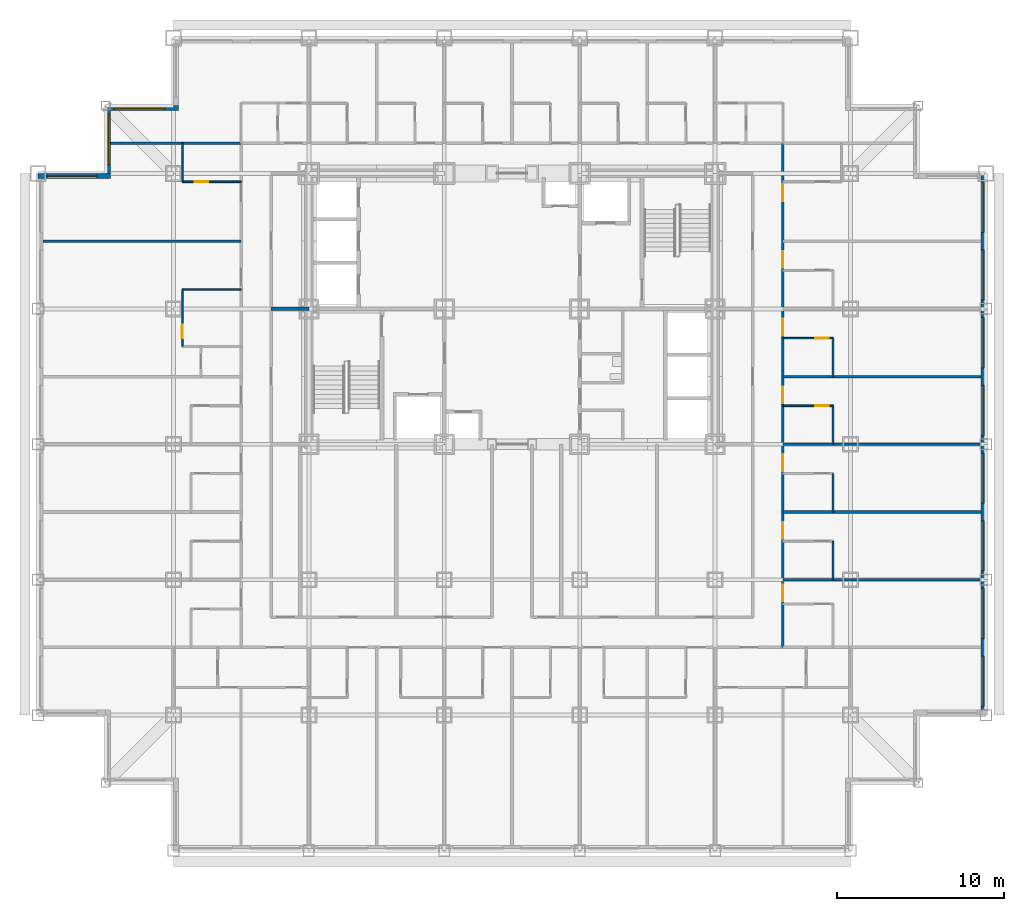
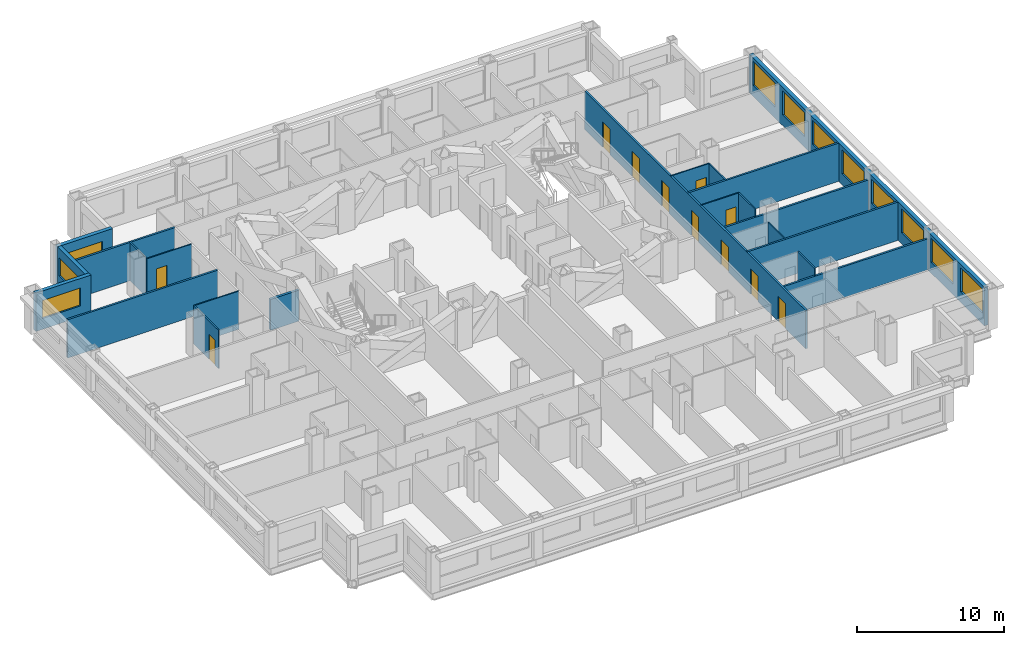
# One storey, part 7 of 12: 22 walls, 11 doors, 11 windows, 22 openings.
"""IFC4 building model written with IfcOpenShell, lengths in metres."""

import ifcopenshell
import ifcopenshell.guid

model = None  # the IFC model being written
_history = None  # IfcOwnerHistory: only IFC2X3 demands one
_inside = {}  # id of a spatial element -> (the spatial element, [elements in it])
_under = {}  # id of a project, library or spatial element -> (it, [spatial elements below it])
_declared = {}  # id of a project -> (the project, [libraries it declares])
_typed = {}  # id of a type object -> (the type object, [elements of that type])
_made_of = {}  # id of a material, layer set ... -> (it, [elements and type objects made of it])


def new_model(schema):
    """Start an empty IFC model of exactly this schema.

    Asked for "IFC4X3", IfcOpenShell would pick the latest addendum, in which some entities
    have other attributes; the version numbers below select the first issue.
    IFC2X3 requires an IfcOwnerHistory on every rooted entity: one is made here for all.
    """
    global model, _history
    if schema == "IFC4X3":
        model = ifcopenshell.file(schema_version=(4, 3, 0, 0))
    else:
        model = ifcopenshell.file(schema=schema)
    _inside.clear()
    _under.clear()
    _declared.clear()
    _typed.clear()
    _made_of.clear()
    _history = None
    if model.schema == "IFC2X3":
        org = make("IfcOrganization", Name="unknown")
        user = make(
            "IfcPersonAndOrganization",
            ThePerson=make("IfcPerson", FamilyName="unknown"),
            TheOrganization=org,
        )
        app = make(
            "IfcApplication",
            ApplicationDeveloper=org,
            Version="unknown",
            ApplicationFullName="unknown",
            ApplicationIdentifier="unknown",
        )
        _history = make(
            "IfcOwnerHistory",
            OwningUser=user,
            OwningApplication=app,
            ChangeAction="ADDED",
            CreationDate=0,
        )
    return model


def make(cls, **values):
    """One entity of the class cls with the attributes given. An attribute that is None is left unset."""
    return model.create_entity(
        cls, **{name: value for name, value in values.items() if value is not None}
    )


def rooted(cls, **values):
    """An entity with a GlobalId (a new one), such as an element, a storey or a relation."""
    return make(cls, GlobalId=ifcopenshell.guid.new(), OwnerHistory=_history, **values)


def si_unit(unit_type, name, prefix=None):
    """IfcSIUnit, for example si_unit("LENGTHUNIT", "METRE", prefix="MILLI")."""
    return make("IfcSIUnit", UnitType=unit_type, Prefix=prefix, Name=name)


def assignment(units):
    """IfcUnitAssignment: the units of a project."""
    return None if units is None else make("IfcUnitAssignment", Units=units)


def point(xyz):
    """IfcCartesianPoint."""
    return None if xyz is None else make("IfcCartesianPoint", Coordinates=xyz)


def direction(xyz):
    """IfcDirection."""
    return None if xyz is None else make("IfcDirection", DirectionRatios=xyz)


def frame(location, z_axis=None, x_axis=None):
    """IfcAxis2Placement3D, a coordinate frame: its origin and axes. An axis left out is left unset."""
    return make(
        "IfcAxis2Placement3D",
        Location=point(location),
        Axis=direction(z_axis),
        RefDirection=direction(x_axis),
    )


def frame_2d(location, x_axis=None):
    """IfcAxis2Placement2D, a coordinate frame in the plane: its origin and x axis."""
    return make(
        "IfcAxis2Placement2D", Location=point(location), RefDirection=direction(x_axis)
    )


def origin():
    """The frame at (0, 0, 0) with its axes left unset."""
    return frame((0.0, 0.0, 0.0))


def place(relative_to, where):
    """IfcLocalPlacement: puts the frame where relative to a parent placement (None: the world)."""
    return make(
        "IfcLocalPlacement", PlacementRelTo=relative_to, RelativePlacement=where
    )


def context(
    kind, dimensions, precision=None, world=None, true_north=None, identifier=None
):
    """IfcGeometricRepresentationContext, for example the 3D "Model" context."""
    return make(
        "IfcGeometricRepresentationContext",
        ContextIdentifier=identifier,
        ContextType=kind,
        CoordinateSpaceDimension=dimensions,
        Precision=precision,
        WorldCoordinateSystem=world,
        TrueNorth=true_north,
    )


def subcontext(parent, identifier, kind, view, scale=None):
    """IfcGeometricRepresentationSubContext, for example "Body" below "Model"."""
    return make(
        "IfcGeometricRepresentationSubContext",
        ContextIdentifier=identifier,
        ContextType=kind,
        ParentContext=parent,
        TargetScale=scale,
        TargetView=view,
    )


def project(units=None, contexts=None):
    """IfcProject with its units and contexts."""
    return rooted(
        "IfcProject",
        Name="project",
        RepresentationContexts=contexts,
        UnitsInContext=assignment(units),
    )


def spatial(cls, under=None, at=None, **own):
    """A site, building, storey or space (cls), placed at a placement, below another one or the project."""
    s = rooted(cls, ObjectPlacement=at, **own)
    if under is not None:
        _under.setdefault(under.id(), (under, []))[1].append(s)
    return s


def profile(cls, at=None, kind="AREA", **sizes):
    """A parametric profile (cls). Its sizes go by their IFC names, for example OverallWidth=200.0."""
    return make(cls, ProfileType=kind, Position=at, **sizes)


def rectangle(**sizes):
    """IfcRectangleProfileDef."""
    return profile("IfcRectangleProfileDef", **sizes)


def extrude(swept, where, along, depth):
    """IfcExtrudedAreaSolid: the profile swept, set in the frame where, extruded along a direction by depth."""
    return make(
        "IfcExtrudedAreaSolid",
        SweptArea=swept,
        Position=where,
        ExtrudedDirection=direction(along),
        Depth=depth,
    )


def shape(context_of_items, identifier, shape_type, items):
    """IfcShapeRepresentation: the items that make up one representation, for example the "Body"."""
    return make(
        "IfcShapeRepresentation",
        ContextOfItems=context_of_items,
        RepresentationIdentifier=identifier,
        RepresentationType=shape_type,
        Items=items,
    )


def material(Name=None, Category=None):
    """IfcMaterial."""
    return make("IfcMaterial", Name=Name, Category=Category)


def layer(
    of_material, thickness, ventilated=None, Name=None, Category=None, Priority=None
):
    """IfcMaterialLayer: one layer of a wall or slab, of a material (None: an air gap)."""
    return make(
        "IfcMaterialLayer",
        Material=of_material,
        LayerThickness=thickness,
        IsVentilated=ventilated,
        Name=Name,
        Category=Category,
        Priority=Priority,
    )


def layer_set(layers, Name=None):
    """IfcMaterialLayerSet."""
    return make("IfcMaterialLayerSet", MaterialLayers=layers, LayerSetName=Name)


def made_of(thing, what):
    """Note that an element or type object is made of a material, layer set ...; save() writes the relation."""
    if what is not None:
        _made_of.setdefault(what.id(), (what, []))[1].append(thing)
    return thing


def type_object(cls, material=None, **own):
    """A type object (cls), such as IfcWallType, which elements share."""
    return made_of(rooted(cls, **own), material)


def element(
    cls,
    number,
    at=None,
    inside=None,
    cuts=None,
    type_object=None,
    material=None,
    context=None,
    identifier="Body",
    shape_type=None,
    held_by="IfcProductDefinitionShape",
    body=None,
    shapes=None,
    **own,
):
    """One element of the class cls, such as IfcWall. Its Tag is "e" and its number.

    at: its placement. inside: the storey or other place that contains it. cuts: it is an
    opening in that element (IfcRelVoidsElement). A single representation is given by context,
    identifier, shape_type and body (its items); several are given by shapes. held_by: the class
    of the entity that holds the representations. save() writes the other relations.
    """
    e = rooted(cls, Tag="e%d" % number, ObjectPlacement=at, **own)
    if body is not None:
        shapes = [shape(context, identifier, shape_type, body)]
    if shapes is not None:
        e.Representation = make(held_by, Representations=shapes)
    if inside is not None:
        _inside.setdefault(inside.id(), (inside, []))[1].append(e)
    if cuts is not None:
        rooted(
            "IfcRelVoidsElement", RelatingBuildingElement=cuts, RelatedOpeningElement=e
        )
    if type_object is not None:
        _typed.setdefault(type_object.id(), (type_object, []))[1].append(e)
    return made_of(e, material)


def fill(opening, filler):
    """IfcRelFillsElement: the door or window that sits in an opening."""
    return rooted(
        "IfcRelFillsElement",
        RelatingOpeningElement=opening,
        RelatedBuildingElement=filler,
    )


def aggregate(whole, parts):
    """IfcRelAggregates: a whole, such as a stair, and the parts it consists of."""
    return rooted("IfcRelAggregates", RelatingObject=whole, RelatedObjects=parts)


def save(model, path):
    """Write the relations noted so far, then the file.

    IfcRelAggregates (storeys below a building ...), IfcRelContainedInSpatialStructure (elements
    in a storey), IfcRelDefinesByType, IfcRelAssociatesMaterial and IfcRelDeclares: one each for
    every whole, place, type object, material and project.
    """
    for whole, parts in _under.values():
        aggregate(whole, parts)
    for where, things in _inside.values():
        rooted(
            "IfcRelContainedInSpatialStructure",
            RelatedElements=things,
            RelatingStructure=where,
        )
    for kind, things in _typed.values():
        rooted("IfcRelDefinesByType", RelatedObjects=things, RelatingType=kind)
    for what, things in _made_of.values():
        rooted("IfcRelAssociatesMaterial", RelatedObjects=things, RelatingMaterial=what)
    for by, libraries in _declared.values():
        rooted("IfcRelDeclares", RelatingContext=by, RelatedDefinitions=libraries)
    model.write(path)


model = new_model("IFC4")

# Units and contexts
model_context = context("Model", 3, precision=1e-05, world=origin(), true_north=direction((0.0, 1.0)))
body_context = subcontext(model_context, "Body", "Model", "MODEL_VIEW")
ifc_project = project(units=[si_unit("LENGTHUNIT", "METRE"), si_unit("AREAUNIT", "SQUARE_METRE"), si_unit("VOLUMEUNIT", "CUBIC_METRE"), si_unit("PLANEANGLEUNIT", "RADIAN"), si_unit("MASSUNIT", "GRAM", prefix="KILO")], contexts=[model_context])

# Site, building, storey
site_placement = place(None, origin())
site = spatial("IfcSite", under=ifc_project, at=site_placement, CompositionType="ELEMENT")
building_placement = place(site_placement, origin())
building = spatial("IfcBuilding", under=site, at=building_placement, Name="Kopane Lantern Tower", CompositionType="ELEMENT")
storey_placement = place(building_placement, frame((0.0, 0.0, 53.39990234375)))
storey = spatial("IfcBuildingStorey", under=building, at=storey_placement, Name="L12", CompositionType="ELEMENT", Elevation=53.39990234375)

# Wall, opening, door
ifc_material_1 = material(Name="Moisture-resistant board on steel studs", Category="steel")
ifc_layer_1 = layer(ifc_material_1, 0.10009765625)
ifc_layer_set_1 = layer_set([ifc_layer_1], Name="BATHROOM WALL 100")
wall_type_1 = type_object("IfcWallType", Name="BATHROOM WALL 100", PredefinedType="PARTITIONING", material=ifc_layer_set_1)
wall_1_placement = place(storey_placement, frame((8.635009765625, 30.14990234375, 0.0), z_axis=(0.0, 0.0, 1.0), x_axis=(0.0, 1.0, 0.0)))
wall_1 = element("IfcWall", 1, at=wall_1_placement, inside=storey, type_object=wall_type_1, Name="Bathroom Wall 100 L12", PredefinedType="PARTITIONING", context=body_context, shape_type="SweptSolid", body=[
    extrude(rectangle(XDim=3.400146484375, YDim=0.10009765625, at=frame_2d((1.7001953125, 0.0))), origin(), (0.0, 0.0, 1.0), 3.190185546875),
])
opening_1_placement = place(wall_1_placement, frame((0.487548828125, 0.0, 0.0)))
opening_1 = element("IfcOpeningElement", 2, at=opening_1_placement, cuts=wall_1, Name="Opening L12-043", PredefinedType="OPENING", context=body_context, shape_type="SweptSolid", body=[
    extrude(rectangle(XDim=0.800048828125, YDim=2.10009765625, at=frame_2d((0.39990234375, 1.050048828125))), frame((0.0, 0.06005859375, 0.0), z_axis=(0.0, -1.0, 0.0), x_axis=(1.0, 0.0, 0.0)), (0.0, 0.0, 1.0), 0.1201171875),
])
ifc_material_2 = material(Name="Timber door set", Category="wood")
door_type_1 = type_object("IfcDoorType", Name="DOOR D2 800x2100", OperationType="SINGLE_SWING_LEFT", PredefinedType="DOOR", material=ifc_material_2)
door_1_placement = place(opening_1_placement, origin())
door_1 = element("IfcDoor", 3, at=door_1_placement, inside=storey, type_object=door_type_1, Name="Door L12-043", OperationType="SINGLE_SWING_RIGHT", OverallHeight=2.10009765625, OverallWidth=0.800048828125, PredefinedType="DOOR", context=body_context, shape_type="SweptSolid", body=[
    extrude(rectangle(XDim=0.800048828125, YDim=2.10009765625, at=frame_2d((0.39990234375, 1.050048828125))), frame((0.0, 0.02490234375, 0.0), z_axis=(0.0, -1.0, 0.0), x_axis=(1.0, 0.0, 0.0)), (0.0, 0.0, 1.0), 0.050048828125),
])
fill(opening_1, door_1)

# Walls
wall_2_placement = place(storey_placement, frame((12.14990234375, 33.550048828125, 0.0), z_axis=(0.0, 0.0, 1.0), x_axis=(-1.0, 0.0, 0.0)))
element("IfcWall", 4, at=wall_2_placement, inside=storey, type_object=wall_type_1, Name="Bathroom Wall 100 L12", PredefinedType="PARTITIONING", context=body_context, shape_type="SweptSolid", body=[
    extrude(rectangle(XDim=3.514892578125, YDim=0.10009765625, at=frame_2d((1.75732421875, 0.0))), origin(), (0.0, 0.0, 1.0), 3.190185546875),
])
wall_3_placement = place(storey_placement, frame((8.635009765625, 40.0, 0.0), z_axis=(0.0, 0.0, 1.0), x_axis=(0.0, 1.0, 0.0)))
element("IfcWall", 5, at=wall_3_placement, inside=storey, type_object=wall_type_1, Name="Bathroom Wall 100 L12", PredefinedType="PARTITIONING", context=body_context, shape_type="SweptSolid", body=[
    extrude(rectangle(XDim=2.300048828125, YDim=0.10009765625, at=frame_2d((1.14990234375, 0.0))), origin(), (0.0, 0.0, 1.0), 3.190185546875),
])

# Wall, opening, door
wall_4_placement = place(storey_placement, frame((12.14990234375, 40.0, 0.0), z_axis=(0.0, 0.0, 1.0), x_axis=(-1.0, 0.0, 0.0)))
wall_4 = element("IfcWall", 6, at=wall_4_placement, inside=storey, type_object=wall_type_1, Name="Bathroom Wall 100 L12", PredefinedType="PARTITIONING", context=body_context, shape_type="SweptSolid", body=[
    extrude(rectangle(XDim=3.514892578125, YDim=0.10009765625, at=frame_2d((1.75732421875, 0.0))), origin(), (0.0, 0.0, 1.0), 3.190185546875),
])
opening_2_placement = place(wall_4_placement, frame((1.965087890625, 0.0, 0.0)))
opening_2 = element("IfcOpeningElement", 7, at=opening_2_placement, cuts=wall_4, Name="Opening L12-046", PredefinedType="OPENING", context=body_context, shape_type="SweptSolid", body=[
    extrude(rectangle(XDim=0.800048828125, YDim=2.10009765625, at=frame_2d((0.39990234375, 1.050048828125))), frame((0.0, 0.06005859375, 0.0), z_axis=(0.0, -1.0, 0.0), x_axis=(1.0, 0.0, 0.0)), (0.0, 0.0, 1.0), 0.1201171875),
])
door_2_placement = place(opening_2_placement, origin())
door_2 = element("IfcDoor", 8, at=door_2_placement, inside=storey, type_object=door_type_1, Name="Door L12-046", OperationType="SINGLE_SWING_LEFT", OverallHeight=2.10009765625, OverallWidth=0.800048828125, PredefinedType="DOOR", context=body_context, shape_type="SweptSolid", body=[
    extrude(rectangle(XDim=0.800048828125, YDim=2.10009765625, at=frame_2d((0.39990234375, 1.050048828125))), frame((0.0, 0.02490234375, 0.0), z_axis=(0.0, -1.0, 0.0), x_axis=(1.0, 0.0, 0.0)), (0.0, 0.0, 1.0), 0.050048828125),
])
fill(opening_2, door_2)

# Walls
for number, where, z_axis, x_axis, name in (
    (9, (47.550048828125, 16.199951171875, 0.0), (0.0, 0.0, 1.0), (0.0, 1.0, 0.0), "Bathroom Wall 100 L12"),
    (10, (47.550048828125, 20.25, 0.0), (0.0, 0.0, 1.0), (0.0, 1.0, 0.0), "Bathroom Wall 100 L12"),
    (11, (47.550048828125, 24.300048828125, 0.0), (0.0, 0.0, 1.0), (0.0, 1.0, 0.0), "Bathroom Wall 100 L12"),
):
    element("IfcWall", number, at=place(storey_placement, frame(where, z_axis=z_axis, x_axis=x_axis)), inside=storey, type_object=wall_type_1, Name=name, PredefinedType="PARTITIONING", context=body_context, shape_type="SweptSolid", body=[
        extrude(rectangle(XDim=2.300048828125, YDim=0.10009765625, at=frame_2d((1.14990234375, 0.0))), origin(), (0.0, 0.0, 1.0), 3.190185546875),
    ])

# Wall, opening, door
wall_5_placement = place(storey_placement, frame((44.550048828125, 26.60009765625, 0.0), z_axis=(0.0, 0.0, 1.0), x_axis=(1.0, 0.0, 0.0)))
wall_5 = element("IfcWall", 12, at=wall_5_placement, inside=storey, type_object=wall_type_1, Name="Bathroom Wall 100 L12", PredefinedType="PARTITIONING", context=body_context, shape_type="SweptSolid", body=[
    extrude(rectangle(XDim=3.0, YDim=0.10009765625, at=frame_2d((1.5, 0.0))), origin(), (0.0, 0.0, 1.0), 3.190185546875),
])
opening_3_placement = place(wall_5_placement, frame((1.949951171875, 0.0, 0.0)))
opening_3 = element("IfcOpeningElement", 13, at=opening_3_placement, cuts=wall_5, Name="Opening L12-054", PredefinedType="OPENING", context=body_context, shape_type="SweptSolid", body=[
    extrude(rectangle(XDim=0.800048828125, YDim=2.10009765625, at=frame_2d((0.39990234375, 1.050048828125))), frame((0.0, 0.06005859375, 0.0), z_axis=(0.0, -1.0, 0.0), x_axis=(1.0, 0.0, 0.0)), (0.0, 0.0, 1.0), 0.1201171875),
])
door_3_placement = place(opening_3_placement, origin())
door_3 = element("IfcDoor", 14, at=door_3_placement, inside=storey, type_object=door_type_1, Name="Door L12-054", OperationType="SINGLE_SWING_LEFT", OverallHeight=2.10009765625, OverallWidth=0.800048828125, PredefinedType="DOOR", context=body_context, shape_type="SweptSolid", body=[
    extrude(rectangle(XDim=0.800048828125, YDim=2.10009765625, at=frame_2d((0.39990234375, 1.050048828125))), frame((0.0, 0.02490234375, 0.0), z_axis=(0.0, -1.0, 0.0), x_axis=(1.0, 0.0, 0.0)), (0.0, 0.0, 1.0), 0.050048828125),
])
fill(opening_3, door_3)

# Wall
wall_6_placement = place(storey_placement, frame((47.550048828125, 28.35009765625, 0.0), z_axis=(0.0, 0.0, 1.0), x_axis=(0.0, 1.0, 0.0)))
element("IfcWall", 15, at=wall_6_placement, inside=storey, type_object=wall_type_1, Name="Bathroom Wall 100 L12", PredefinedType="PARTITIONING", context=body_context, shape_type="SweptSolid", body=[
    extrude(rectangle(XDim=2.2998046875, YDim=0.10009765625, at=frame_2d((1.14990234375, 0.0))), origin(), (0.0, 0.0, 1.0), 3.190185546875),
])

# Wall, opening, door
wall_7_placement = place(storey_placement, frame((44.550048828125, 30.64990234375, 0.0), z_axis=(0.0, 0.0, 1.0), x_axis=(1.0, 0.0, 0.0)))
wall_7 = element("IfcWall", 16, at=wall_7_placement, inside=storey, type_object=wall_type_1, Name="Bathroom Wall 100 L12", PredefinedType="PARTITIONING", context=body_context, shape_type="SweptSolid", body=[
    extrude(rectangle(XDim=3.0, YDim=0.10009765625, at=frame_2d((1.5, 0.0))), origin(), (0.0, 0.0, 1.0), 3.190185546875),
])
opening_4_placement = place(wall_7_placement, frame((1.949951171875, 0.0, 0.0)))
opening_4 = element("IfcOpeningElement", 17, at=opening_4_placement, cuts=wall_7, Name="Opening L12-056", PredefinedType="OPENING", context=body_context, shape_type="SweptSolid", body=[
    extrude(rectangle(XDim=0.800048828125, YDim=2.10009765625, at=frame_2d((0.39990234375, 1.050048828125))), frame((0.0, 0.06005859375, 0.0), z_axis=(0.0, -1.0, 0.0), x_axis=(1.0, 0.0, 0.0)), (0.0, 0.0, 1.0), 0.1201171875),
])
door_4_placement = place(opening_4_placement, origin())
door_4 = element("IfcDoor", 18, at=door_4_placement, inside=storey, type_object=door_type_1, Name="Door L12-056", OperationType="SINGLE_SWING_LEFT", OverallHeight=2.10009765625, OverallWidth=0.800048828125, PredefinedType="DOOR", context=body_context, shape_type="SweptSolid", body=[
    extrude(rectangle(XDim=0.800048828125, YDim=2.10009765625, at=frame_2d((0.39990234375, 1.050048828125))), frame((0.0, 0.02490234375, 0.0), z_axis=(0.0, -1.0, 0.0), x_axis=(1.0, 0.0, 0.0)), (0.0, 0.0, 1.0), 0.050048828125),
])
fill(opening_4, door_4)

# Wall, openings, doors
ifc_material_3 = material(Name="Gypsum board on steel studs", Category="steel")
ifc_layer_2 = layer(ifc_material_3, 0.14990234375)
ifc_layer_set_2 = layer_set([ifc_layer_2], Name="CORRIDOR WALL 150 EI 60")
wall_type_2 = type_object("IfcWallType", Name="CORRIDOR WALL 150 EI 60", PredefinedType="PARTITIONING", material=ifc_layer_set_2)
wall_8_placement = place(storey_placement, frame((44.550048828125, 12.14990234375, 0.0), z_axis=(0.0, 0.0, 1.0), x_axis=(0.0, 1.0, 0.0)))
wall_8 = element("IfcWall", 19, at=wall_8_placement, inside=storey, type_object=wall_type_2, Name="Corridor Wall 150 Ei 60 L12", PredefinedType="PARTITIONING", context=body_context, shape_type="SweptSolid", body=[
    extrude(rectangle(XDim=30.150146484375, YDim=0.14990234375, at=frame_2d((15.0751953125, 0.0))), origin(), (0.0, 0.0, 1.0), 3.190185546875),
])
opening_5_placement = place(wall_8_placement, frame((2.75, 0.0, 0.0)))
opening_5 = element("IfcOpeningElement", 20, at=opening_5_placement, cuts=wall_8, Name="Opening L12-049", PredefinedType="OPENING", context=body_context, shape_type="SweptSolid", body=[
    extrude(rectangle(XDim=1.0, YDim=2.10009765625, at=frame_2d((0.5, 1.050048828125))), frame((0.0, 0.0849609375, 0.0), z_axis=(0.0, -1.0, 0.0), x_axis=(1.0, 0.0, 0.0)), (0.0, 0.0, 1.0), 0.169921875),
])
opening_6_placement = place(wall_8_placement, frame((6.5, 0.0, 0.0)))
opening_6 = element("IfcOpeningElement", 21, at=opening_6_placement, cuts=wall_8, Name="Opening L12-051", PredefinedType="OPENING", context=body_context, shape_type="SweptSolid", body=[
    extrude(rectangle(XDim=1.0, YDim=2.10009765625, at=frame_2d((0.5, 1.050048828125))), frame((0.0, 0.0849609375, 0.0), z_axis=(0.0, -1.0, 0.0), x_axis=(1.0, 0.0, 0.0)), (0.0, 0.0, 1.0), 0.169921875),
])
opening_7_placement = place(wall_8_placement, frame((10.550048828125, 0.0, 0.0)))
opening_7 = element("IfcOpeningElement", 22, at=opening_7_placement, cuts=wall_8, Name="Opening L12-053", PredefinedType="OPENING", context=body_context, shape_type="SweptSolid", body=[
    extrude(rectangle(XDim=1.0, YDim=2.10009765625, at=frame_2d((0.5, 1.050048828125))), frame((0.0, 0.0849609375, 0.0), z_axis=(0.0, -1.0, 0.0), x_axis=(1.0, 0.0, 0.0)), (0.0, 0.0, 1.0), 0.169921875),
])
opening_8_placement = place(wall_8_placement, frame((14.60009765625, 0.0, 0.0)))
opening_8 = element("IfcOpeningElement", 23, at=opening_8_placement, cuts=wall_8, Name="Opening L12-055", PredefinedType="OPENING", context=body_context, shape_type="SweptSolid", body=[
    extrude(rectangle(XDim=1.0, YDim=2.10009765625, at=frame_2d((0.5, 1.050048828125))), frame((0.0, 0.0849609375, 0.0), z_axis=(0.0, -1.0, 0.0), x_axis=(1.0, 0.0, 0.0)), (0.0, 0.0, 1.0), 0.169921875),
])
opening_9_placement = place(wall_8_placement, frame((18.64990234375, 0.0, 0.0)))
opening_9 = element("IfcOpeningElement", 24, at=opening_9_placement, cuts=wall_8, Name="Opening L12-057", PredefinedType="OPENING", context=body_context, shape_type="SweptSolid", body=[
    extrude(rectangle(XDim=1.0, YDim=2.10009765625, at=frame_2d((0.5, 1.050048828125))), frame((0.0, 0.0849609375, 0.0), z_axis=(0.0, -1.0, 0.0), x_axis=(1.0, 0.0, 0.0)), (0.0, 0.0, 1.0), 0.169921875),
])
opening_10_placement = place(wall_8_placement, frame((22.699951171875, 0.0, 0.0)))
opening_10 = element("IfcOpeningElement", 25, at=opening_10_placement, cuts=wall_8, Name="Opening L12-059", PredefinedType="OPENING", context=body_context, shape_type="SweptSolid", body=[
    extrude(rectangle(XDim=1.0, YDim=2.10009765625, at=frame_2d((0.5, 1.050048828125))), frame((0.0, 0.0849609375, 0.0), z_axis=(0.0, -1.0, 0.0), x_axis=(1.0, 0.0, 0.0)), (0.0, 0.0, 1.0), 0.169921875),
])
opening_11_placement = place(wall_8_placement, frame((26.699951171875, 0.0, 0.0)))
opening_11 = element("IfcOpeningElement", 26, at=opening_11_placement, cuts=wall_8, Name="Opening L12-061", PredefinedType="OPENING", context=body_context, shape_type="SweptSolid", body=[
    extrude(rectangle(XDim=1.0, YDim=2.10009765625, at=frame_2d((0.5, 1.050048828125))), frame((0.0, 0.0849609375, 0.0), z_axis=(0.0, -1.0, 0.0), x_axis=(1.0, 0.0, 0.0)), (0.0, 0.0, 1.0), 0.169921875),
])
ifc_material_4 = material(Name="Steel door set", Category="steel")
door_type_2 = type_object("IfcDoorType", Name="DOOR D1 1000x2100 FD30S", OperationType="SINGLE_SWING_LEFT", PredefinedType="DOOR", material=ifc_material_4)
door_5_placement = place(opening_5_placement, origin())
door_5 = element("IfcDoor", 27, at=door_5_placement, inside=storey, type_object=door_type_2, Name="Door L12-049", OperationType="SINGLE_SWING_RIGHT", OverallHeight=2.10009765625, OverallWidth=1.0, PredefinedType="DOOR", context=body_context, shape_type="SweptSolid", body=[
    extrude(rectangle(XDim=1.0, YDim=2.10009765625, at=frame_2d((0.5, 1.050048828125))), frame((0.0, 0.02490234375, 0.0), z_axis=(0.0, -1.0, 0.0), x_axis=(1.0, 0.0, 0.0)), (0.0, 0.0, 1.0), 0.050048828125),
])
fill(opening_5, door_5)
door_6_placement = place(opening_6_placement, origin())
door_6 = element("IfcDoor", 28, at=door_6_placement, inside=storey, type_object=door_type_2, Name="Door L12-051", OperationType="SINGLE_SWING_RIGHT", OverallHeight=2.10009765625, OverallWidth=1.0, PredefinedType="DOOR", context=body_context, shape_type="SweptSolid", body=[
    extrude(rectangle(XDim=1.0, YDim=2.10009765625, at=frame_2d((0.5, 1.050048828125))), frame((0.0, 0.02490234375, 0.0), z_axis=(0.0, -1.0, 0.0), x_axis=(1.0, 0.0, 0.0)), (0.0, 0.0, 1.0), 0.050048828125),
])
fill(opening_6, door_6)
door_7_placement = place(opening_7_placement, origin())
door_7 = element("IfcDoor", 29, at=door_7_placement, inside=storey, type_object=door_type_2, Name="Door L12-053", OperationType="SINGLE_SWING_RIGHT", OverallHeight=2.10009765625, OverallWidth=1.0, PredefinedType="DOOR", context=body_context, shape_type="SweptSolid", body=[
    extrude(rectangle(XDim=1.0, YDim=2.10009765625, at=frame_2d((0.5, 1.050048828125))), frame((0.0, 0.02490234375, 0.0), z_axis=(0.0, -1.0, 0.0), x_axis=(1.0, 0.0, 0.0)), (0.0, 0.0, 1.0), 0.050048828125),
])
fill(opening_7, door_7)
door_8_placement = place(opening_8_placement, origin())
door_8 = element("IfcDoor", 30, at=door_8_placement, inside=storey, type_object=door_type_2, Name="Door L12-055", OperationType="SINGLE_SWING_RIGHT", OverallHeight=2.10009765625, OverallWidth=1.0, PredefinedType="DOOR", context=body_context, shape_type="SweptSolid", body=[
    extrude(rectangle(XDim=1.0, YDim=2.10009765625, at=frame_2d((0.5, 1.050048828125))), frame((0.0, 0.02490234375, 0.0), z_axis=(0.0, -1.0, 0.0), x_axis=(1.0, 0.0, 0.0)), (0.0, 0.0, 1.0), 0.050048828125),
])
fill(opening_8, door_8)
door_9_placement = place(opening_9_placement, origin())
door_9 = element("IfcDoor", 31, at=door_9_placement, inside=storey, type_object=door_type_2, Name="Door L12-057", OperationType="SINGLE_SWING_RIGHT", OverallHeight=2.10009765625, OverallWidth=1.0, PredefinedType="DOOR", context=body_context, shape_type="SweptSolid", body=[
    extrude(rectangle(XDim=1.0, YDim=2.10009765625, at=frame_2d((0.5, 1.050048828125))), frame((0.0, 0.02490234375, 0.0), z_axis=(0.0, -1.0, 0.0), x_axis=(1.0, 0.0, 0.0)), (0.0, 0.0, 1.0), 0.050048828125),
])
fill(opening_9, door_9)
door_10_placement = place(opening_10_placement, origin())
door_10 = element("IfcDoor", 32, at=door_10_placement, inside=storey, type_object=door_type_2, Name="Door L12-059", OperationType="SINGLE_SWING_RIGHT", OverallHeight=2.10009765625, OverallWidth=1.0, PredefinedType="DOOR", context=body_context, shape_type="SweptSolid", body=[
    extrude(rectangle(XDim=1.0, YDim=2.10009765625, at=frame_2d((0.5, 1.050048828125))), frame((0.0, 0.02490234375, 0.0), z_axis=(0.0, -1.0, 0.0), x_axis=(1.0, 0.0, 0.0)), (0.0, 0.0, 1.0), 0.050048828125),
])
fill(opening_10, door_10)
door_11_placement = place(opening_11_placement, origin())
door_11 = element("IfcDoor", 33, at=door_11_placement, inside=storey, type_object=door_type_2, Name="Door L12-061", OperationType="SINGLE_SWING_LEFT", OverallHeight=2.10009765625, OverallWidth=1.0, PredefinedType="DOOR", context=body_context, shape_type="SweptSolid", body=[
    extrude(rectangle(XDim=1.0, YDim=2.10009765625, at=frame_2d((0.5, 1.050048828125))), frame((0.0, 0.02490234375, 0.0), z_axis=(0.0, -1.0, 0.0), x_axis=(1.0, 0.0, 0.0)), (0.0, 0.0, 1.0), 0.050048828125),
])
fill(opening_11, door_11)

# Walls
ifc_material_5 = material(Name="Gypsum board on steel studs", Category="steel")
ifc_layer_3 = layer(ifc_material_5, 0.14990234375)
ifc_layer_set_3 = layer_set([ifc_layer_3], Name="DEMISING WALL 150 EI 60")
wall_type_3 = type_object("IfcWallType", Name="DEMISING WALL 150 EI 60", PredefinedType="PARTITIONING", material=ifc_layer_set_3)
wall_9_placement = place(storey_placement, frame((12.14990234375, 36.449951171875, 0.0), z_axis=(0.0, 0.0, 1.0), x_axis=(-1.0, 0.0, 0.0)))
element("IfcWall", 34, at=wall_9_placement, inside=storey, type_object=wall_type_3, Name="Demising Wall 150 Ei 60 L12", PredefinedType="PARTITIONING", context=body_context, shape_type="SweptSolid", body=[
    extrude(rectangle(XDim=11.849853515625, YDim=0.14990234375, at=frame_2d((5.9248046875, 0.0))), origin(), (0.0, 0.0, 1.0), 3.190185546875),
])
wall_10_placement = place(storey_placement, frame((44.550048828125, 16.199951171875, 0.0), z_axis=(0.0, 0.0, 1.0), x_axis=(1.0, 0.0, 0.0)))
element("IfcWall", 35, at=wall_10_placement, inside=storey, type_object=wall_type_3, Name="Demising Wall 150 Ei 60 L12", PredefinedType="PARTITIONING", context=body_context, shape_type="SweptSolid", body=[
    extrude(rectangle(XDim=11.849853515625, YDim=0.14990234375, at=frame_2d((5.9248046875, 0.0))), origin(), (0.0, 0.0, 1.0), 2.577880859375),
])
wall_11_placement = place(storey_placement, frame((44.550048828125, 20.25, 0.0), z_axis=(0.0, 0.0, 1.0), x_axis=(1.0, 0.0, 0.0)))
element("IfcWall", 36, at=wall_11_placement, inside=storey, type_object=wall_type_3, Name="Demising Wall 150 Ei 60 L12", PredefinedType="PARTITIONING", context=body_context, shape_type="SweptSolid", body=[
    extrude(rectangle(XDim=11.849853515625, YDim=0.14990234375, at=frame_2d((5.9248046875, 0.0))), origin(), (0.0, 0.0, 1.0), 3.190185546875),
])
wall_12_placement = place(storey_placement, frame((44.550048828125, 24.300048828125, 0.0), z_axis=(0.0, 0.0, 1.0), x_axis=(1.0, 0.0, 0.0)))
element("IfcWall", 37, at=wall_12_placement, inside=storey, type_object=wall_type_3, Name="Demising Wall 150 Ei 60 L12", PredefinedType="PARTITIONING", context=body_context, shape_type="SweptSolid", body=[
    extrude(rectangle(XDim=11.849853515625, YDim=0.14990234375, at=frame_2d((5.9248046875, 0.0))), origin(), (0.0, 0.0, 1.0), 2.577880859375),
])
wall_13_placement = place(storey_placement, frame((44.550048828125, 28.35009765625, 0.0), z_axis=(0.0, 0.0, 1.0), x_axis=(1.0, 0.0, 0.0)))
element("IfcWall", 38, at=wall_13_placement, inside=storey, type_object=wall_type_3, Name="Demising Wall 150 Ei 60 L12", PredefinedType="PARTITIONING", context=body_context, shape_type="SweptSolid", body=[
    extrude(rectangle(XDim=11.849853515625, YDim=0.14990234375, at=frame_2d((5.9248046875, 0.0))), origin(), (0.0, 0.0, 1.0), 3.190185546875),
])
wall_14_placement = place(storey_placement, frame((4.35009765625, 42.300048828125, 0.0), z_axis=(0.0, 0.0, 1.0), x_axis=(1.0, 0.0, 0.0)))
element("IfcWall", 39, at=wall_14_placement, inside=storey, type_object=wall_type_3, Name="Demising Wall 150 Ei 60 L12", PredefinedType="PARTITIONING", context=body_context, shape_type="SweptSolid", body=[
    extrude(rectangle(XDim=7.7998046875, YDim=0.14990234375, at=frame_2d((3.89990234375, 0.0))), origin(), (0.0, 0.0, 1.0), 3.190185546875),
])

# Wall, openings, windows
ifc_material_6 = material(Name="Terracotta rainscreen on light steel framing", Category="masonry")
ifc_layer_4 = layer(ifc_material_6, 0.300048828125)
ifc_layer_set_4 = layer_set([ifc_layer_4], Name="EXTERNAL WALL EW1 300 TERRACOTTA")
wall_type_4 = type_object("IfcWallType", Name="EXTERNAL WALL EW1 300 TERRACOTTA", PredefinedType="SOLIDWALL", material=ifc_layer_set_4)
wall_15_placement = place(storey_placement, frame((56.550048828125, 8.39990234375, 0.0), z_axis=(0.0, 0.0, 1.0), x_axis=(0.0, 1.0, 0.0)))
wall_15 = element("IfcWall", 40, at=wall_15_placement, inside=storey, type_object=wall_type_4, Name="External wall E L12", PredefinedType="SOLIDWALL", context=body_context, shape_type="SweptSolid", body=[
    extrude(rectangle(XDim=32.10009765625, YDim=0.300048828125, at=frame_2d((16.050048828125, 0.0))), origin(), (0.0, 0.0, 1.0), 3.190185546875),
])
opening_12_placement = place(wall_15_placement, frame((0.22509765625, 0.0, 0.89990234375)))
opening_12 = element("IfcOpeningElement", 41, at=opening_12_placement, cuts=wall_15, Name="Opening WR300200", PredefinedType="OPENING", context=body_context, shape_type="SweptSolid", body=[
    extrude(rectangle(XDim=3.0, YDim=2.0, at=frame_2d((1.5, 1.0))), frame((0.0, 0.159912109375, 0.0), z_axis=(0.0, -1.0, 0.0), x_axis=(1.0, 0.0, 0.0)), (0.0, 0.0, 1.0), 0.320068359375),
])
opening_13_placement = place(wall_15_placement, frame((4.27490234375, 0.0, 0.89990234375)))
opening_13 = element("IfcOpeningElement", 42, at=opening_13_placement, cuts=wall_15, Name="Opening WR300200", PredefinedType="OPENING", context=body_context, shape_type="SweptSolid", body=[
    extrude(rectangle(XDim=3.0, YDim=2.0, at=frame_2d((1.5, 1.0))), frame((0.0, 0.159912109375, 0.0), z_axis=(0.0, -1.0, 0.0), x_axis=(1.0, 0.0, 0.0)), (0.0, 0.0, 1.0), 0.320068359375),
])
opening_14_placement = place(wall_15_placement, frame((8.324951171875, 0.0, 0.89990234375)))
opening_14 = element("IfcOpeningElement", 43, at=opening_14_placement, cuts=wall_15, Name="Opening WR300200", PredefinedType="OPENING", context=body_context, shape_type="SweptSolid", body=[
    extrude(rectangle(XDim=3.0, YDim=2.0, at=frame_2d((1.5, 1.0))), frame((0.0, 0.159912109375, 0.0), z_axis=(0.0, -1.0, 0.0), x_axis=(1.0, 0.0, 0.0)), (0.0, 0.0, 1.0), 0.320068359375),
])
opening_15_placement = place(wall_15_placement, frame((12.375, 0.0, 0.89990234375)))
opening_15 = element("IfcOpeningElement", 44, at=opening_15_placement, cuts=wall_15, Name="Opening WR300200", PredefinedType="OPENING", context=body_context, shape_type="SweptSolid", body=[
    extrude(rectangle(XDim=3.0, YDim=2.0, at=frame_2d((1.5, 1.0))), frame((0.0, 0.159912109375, 0.0), z_axis=(0.0, -1.0, 0.0), x_axis=(1.0, 0.0, 0.0)), (0.0, 0.0, 1.0), 0.320068359375),
])
opening_16_placement = place(wall_15_placement, frame((16.425048828125, 0.0, 0.89990234375)))
opening_16 = element("IfcOpeningElement", 45, at=opening_16_placement, cuts=wall_15, Name="Opening WR300200", PredefinedType="OPENING", context=body_context, shape_type="SweptSolid", body=[
    extrude(rectangle(XDim=3.0, YDim=2.0, at=frame_2d((1.5, 1.0))), frame((0.0, 0.159912109375, 0.0), z_axis=(0.0, -1.0, 0.0), x_axis=(1.0, 0.0, 0.0)), (0.0, 0.0, 1.0), 0.320068359375),
])
opening_17_placement = place(wall_15_placement, frame((20.47509765625, 0.0, 0.89990234375)))
opening_17 = element("IfcOpeningElement", 46, at=opening_17_placement, cuts=wall_15, Name="Opening WR300200", PredefinedType="OPENING", context=body_context, shape_type="SweptSolid", body=[
    extrude(rectangle(XDim=3.0, YDim=2.0, at=frame_2d((1.5, 1.0))), frame((0.0, 0.159912109375, 0.0), z_axis=(0.0, -1.0, 0.0), x_axis=(1.0, 0.0, 0.0)), (0.0, 0.0, 1.0), 0.320068359375),
])
opening_18_placement = place(wall_15_placement, frame((24.52490234375, 0.0, 0.89990234375)))
opening_18 = element("IfcOpeningElement", 47, at=opening_18_placement, cuts=wall_15, Name="Opening WR300200", PredefinedType="OPENING", context=body_context, shape_type="SweptSolid", body=[
    extrude(rectangle(XDim=3.0, YDim=2.0, at=frame_2d((1.5, 1.0))), frame((0.0, 0.159912109375, 0.0), z_axis=(0.0, -1.0, 0.0), x_axis=(1.0, 0.0, 0.0)), (0.0, 0.0, 1.0), 0.320068359375),
])
opening_19_placement = place(wall_15_placement, frame((28.574951171875, 0.0, 0.89990234375)))
opening_19 = element("IfcOpeningElement", 48, at=opening_19_placement, cuts=wall_15, Name="Opening WR300200", PredefinedType="OPENING", context=body_context, shape_type="SweptSolid", body=[
    extrude(rectangle(XDim=3.0, YDim=2.0, at=frame_2d((1.5, 1.0))), frame((0.0, 0.159912109375, 0.0), z_axis=(0.0, -1.0, 0.0), x_axis=(1.0, 0.0, 0.0)), (0.0, 0.0, 1.0), 0.320068359375),
])
ifc_material_7 = material(Name="Aluminium and clear glass", Category="aluminium")
window_type_1 = type_object("IfcWindowType", Name="RIBBON WINDOW WR300200 3000x2000", PartitioningType="SINGLE_PANEL", PredefinedType="WINDOW", material=ifc_material_7)
window_1_placement = place(opening_12_placement, origin())
window_1 = element("IfcWindow", 49, at=window_1_placement, inside=storey, type_object=window_type_1, Name="Window E L12", OverallHeight=2.0, OverallWidth=3.0, PartitioningType="SINGLE_PANEL", PredefinedType="WINDOW", context=body_context, shape_type="SweptSolid", body=[
    extrude(rectangle(XDim=3.0, YDim=2.0, at=frame_2d((1.5, 1.0))), frame((0.0, 0.030029296875, 0.0), z_axis=(0.0, -1.0, 0.0), x_axis=(1.0, 0.0, 0.0)), (0.0, 0.0, 1.0), 0.06005859375),
])
fill(opening_12, window_1)
window_2_placement = place(opening_13_placement, origin())
window_2 = element("IfcWindow", 50, at=window_2_placement, inside=storey, type_object=window_type_1, Name="Window E L12", OverallHeight=2.0, OverallWidth=3.0, PartitioningType="SINGLE_PANEL", PredefinedType="WINDOW", context=body_context, shape_type="SweptSolid", body=[
    extrude(rectangle(XDim=3.0, YDim=2.0, at=frame_2d((1.5, 1.0))), frame((0.0, 0.030029296875, 0.0), z_axis=(0.0, -1.0, 0.0), x_axis=(1.0, 0.0, 0.0)), (0.0, 0.0, 1.0), 0.06005859375),
])
fill(opening_13, window_2)
window_3_placement = place(opening_14_placement, origin())
window_3 = element("IfcWindow", 51, at=window_3_placement, inside=storey, type_object=window_type_1, Name="Window E L12", OverallHeight=2.0, OverallWidth=3.0, PartitioningType="SINGLE_PANEL", PredefinedType="WINDOW", context=body_context, shape_type="SweptSolid", body=[
    extrude(rectangle(XDim=3.0, YDim=2.0, at=frame_2d((1.5, 1.0))), frame((0.0, 0.030029296875, 0.0), z_axis=(0.0, -1.0, 0.0), x_axis=(1.0, 0.0, 0.0)), (0.0, 0.0, 1.0), 0.06005859375),
])
fill(opening_14, window_3)
window_4_placement = place(opening_15_placement, origin())
window_4 = element("IfcWindow", 52, at=window_4_placement, inside=storey, type_object=window_type_1, Name="Window E L12", OverallHeight=2.0, OverallWidth=3.0, PartitioningType="SINGLE_PANEL", PredefinedType="WINDOW", context=body_context, shape_type="SweptSolid", body=[
    extrude(rectangle(XDim=3.0, YDim=2.0, at=frame_2d((1.5, 1.0))), frame((0.0, 0.030029296875, 0.0), z_axis=(0.0, -1.0, 0.0), x_axis=(1.0, 0.0, 0.0)), (0.0, 0.0, 1.0), 0.06005859375),
])
fill(opening_15, window_4)
window_5_placement = place(opening_16_placement, origin())
window_5 = element("IfcWindow", 53, at=window_5_placement, inside=storey, type_object=window_type_1, Name="Window E L12", OverallHeight=2.0, OverallWidth=3.0, PartitioningType="SINGLE_PANEL", PredefinedType="WINDOW", context=body_context, shape_type="SweptSolid", body=[
    extrude(rectangle(XDim=3.0, YDim=2.0, at=frame_2d((1.5, 1.0))), frame((0.0, 0.030029296875, 0.0), z_axis=(0.0, -1.0, 0.0), x_axis=(1.0, 0.0, 0.0)), (0.0, 0.0, 1.0), 0.06005859375),
])
fill(opening_16, window_5)
window_6_placement = place(opening_17_placement, origin())
window_6 = element("IfcWindow", 54, at=window_6_placement, inside=storey, type_object=window_type_1, Name="Window E L12", OverallHeight=2.0, OverallWidth=3.0, PartitioningType="SINGLE_PANEL", PredefinedType="WINDOW", context=body_context, shape_type="SweptSolid", body=[
    extrude(rectangle(XDim=3.0, YDim=2.0, at=frame_2d((1.5, 1.0))), frame((0.0, 0.030029296875, 0.0), z_axis=(0.0, -1.0, 0.0), x_axis=(1.0, 0.0, 0.0)), (0.0, 0.0, 1.0), 0.06005859375),
])
fill(opening_17, window_6)
window_7_placement = place(opening_18_placement, origin())
window_7 = element("IfcWindow", 55, at=window_7_placement, inside=storey, type_object=window_type_1, Name="Window E L12", OverallHeight=2.0, OverallWidth=3.0, PartitioningType="SINGLE_PANEL", PredefinedType="WINDOW", context=body_context, shape_type="SweptSolid", body=[
    extrude(rectangle(XDim=3.0, YDim=2.0, at=frame_2d((1.5, 1.0))), frame((0.0, 0.030029296875, 0.0), z_axis=(0.0, -1.0, 0.0), x_axis=(1.0, 0.0, 0.0)), (0.0, 0.0, 1.0), 0.06005859375),
])
fill(opening_18, window_7)
window_8_placement = place(opening_19_placement, origin())
window_8 = element("IfcWindow", 56, at=window_8_placement, inside=storey, type_object=window_type_1, Name="Window E L12", OverallHeight=2.0, OverallWidth=3.0, PartitioningType="SINGLE_PANEL", PredefinedType="WINDOW", context=body_context, shape_type="SweptSolid", body=[
    extrude(rectangle(XDim=3.0, YDim=2.0, at=frame_2d((1.5, 1.0))), frame((0.0, 0.030029296875, 0.0), z_axis=(0.0, -1.0, 0.0), x_axis=(1.0, 0.0, 0.0)), (0.0, 0.0, 1.0), 0.06005859375),
])
fill(opening_19, window_8)

# Wall, opening, window
wall_16_placement = place(storey_placement, frame((8.39990234375, 44.39990234375, 0.0), z_axis=(0.0, 0.0, 1.0), x_axis=(-1.0, 0.0, 0.0)))
wall_16 = element("IfcWall", 57, at=wall_16_placement, inside=storey, type_object=wall_type_4, Name="External wall N L12", PredefinedType="SOLIDWALL", context=body_context, shape_type="SweptSolid", body=[
    extrude(rectangle(XDim=4.349853515625, YDim=0.300048828125, at=frame_2d((2.1748046875, 0.0))), origin(), (0.0, 0.0, 1.0), 3.190185546875),
])
opening_20_placement = place(wall_16_placement, frame((0.824951171875, 0.0, 0.89990234375)))
opening_20 = element("IfcOpeningElement", 58, at=opening_20_placement, cuts=wall_16, Name="Opening WR300150", PredefinedType="OPENING", context=body_context, shape_type="SweptSolid", body=[
    extrude(rectangle(XDim=3.0, YDim=1.5, at=frame_2d((1.5, 0.75))), frame((0.0, 0.159912109375, 0.0), z_axis=(0.0, -1.0, 0.0), x_axis=(1.0, 0.0, 0.0)), (0.0, 0.0, 1.0), 0.320068359375),
])
ifc_material_8 = material(Name="Aluminium and clear glass", Category="aluminium")
window_type_2 = type_object("IfcWindowType", Name="RIBBON WINDOW WR300150 3000x1500", PartitioningType="SINGLE_PANEL", PredefinedType="WINDOW", material=ifc_material_8)
window_9_placement = place(opening_20_placement, origin())
window_9 = element("IfcWindow", 59, at=window_9_placement, inside=storey, type_object=window_type_2, Name="Window N L12", OverallHeight=1.5, OverallWidth=3.0, PartitioningType="SINGLE_PANEL", PredefinedType="WINDOW", context=body_context, shape_type="SweptSolid", body=[
    extrude(rectangle(XDim=3.0, YDim=1.5, at=frame_2d((1.5, 0.75))), frame((0.0, 0.030029296875, 0.0), z_axis=(0.0, -1.0, 0.0), x_axis=(1.0, 0.0, 0.0)), (0.0, 0.0, 1.0), 0.06005859375),
])
fill(opening_20, window_9)

wall_17_placement = place(storey_placement, frame((4.199951171875, 44.25, 0.0), z_axis=(0.0, 0.0, 1.0), x_axis=(0.0, -1.0, 0.0)))
wall_17 = element("IfcWall", 60, at=wall_17_placement, inside=storey, type_object=wall_type_4, Name="External wall W L12", PredefinedType="SOLIDWALL", context=body_context, shape_type="SweptSolid", body=[
    extrude(rectangle(XDim=3.75, YDim=0.300048828125, at=frame_2d((1.875, 0.0))), origin(), (0.0, 0.0, 1.0), 3.190185546875),
])
opening_21_placement = place(wall_17_placement, frame((0.22509765625, 0.0, 0.89990234375)))
opening_21 = element("IfcOpeningElement", 61, at=opening_21_placement, cuts=wall_17, Name="Opening WR300150", PredefinedType="OPENING", context=body_context, shape_type="SweptSolid", body=[
    extrude(rectangle(XDim=3.0, YDim=1.5, at=frame_2d((1.5, 0.75))), frame((0.0, 0.159912109375, 0.0), z_axis=(0.0, -1.0, 0.0), x_axis=(1.0, 0.0, 0.0)), (0.0, 0.0, 1.0), 0.320068359375),
])
window_10_placement = place(opening_21_placement, origin())
window_10 = element("IfcWindow", 62, at=window_10_placement, inside=storey, type_object=window_type_2, Name="Window W L12", OverallHeight=1.5, OverallWidth=3.0, PartitioningType="SINGLE_PANEL", PredefinedType="WINDOW", context=body_context, shape_type="SweptSolid", body=[
    extrude(rectangle(XDim=3.0, YDim=1.5, at=frame_2d((1.5, 0.75))), frame((0.0, 0.030029296875, 0.0), z_axis=(0.0, -1.0, 0.0), x_axis=(1.0, 0.0, 0.0)), (0.0, 0.0, 1.0), 0.06005859375),
])
fill(opening_21, window_10)

wall_18_placement = place(storey_placement, frame((4.35009765625, 40.35009765625, 0.0), z_axis=(0.0, 0.0, 1.0), x_axis=(-1.0, 0.0, 0.0)))
wall_18 = element("IfcWall", 63, at=wall_18_placement, inside=storey, type_object=wall_type_4, Name="External wall N L12", PredefinedType="SOLIDWALL", context=body_context, shape_type="SweptSolid", body=[
    extrude(rectangle(XDim=4.35009765625, YDim=0.300048828125, at=frame_2d((2.175048828125, 0.0))), origin(), (0.0, 0.0, 1.0), 3.190185546875),
])
opening_22_placement = place(wall_18_placement, frame((0.824951171875, 0.0, 0.89990234375)))
opening_22 = element("IfcOpeningElement", 64, at=opening_22_placement, cuts=wall_18, Name="Opening WR300150", PredefinedType="OPENING", context=body_context, shape_type="SweptSolid", body=[
    extrude(rectangle(XDim=3.0, YDim=1.5, at=frame_2d((1.5, 0.75))), frame((0.0, 0.159912109375, 0.0), z_axis=(0.0, -1.0, 0.0), x_axis=(1.0, 0.0, 0.0)), (0.0, 0.0, 1.0), 0.320068359375),
])
window_11_placement = place(opening_22_placement, origin())
window_11 = element("IfcWindow", 65, at=window_11_placement, inside=storey, type_object=window_type_2, Name="Window N L12", OverallHeight=1.5, OverallWidth=3.0, PartitioningType="SINGLE_PANEL", PredefinedType="WINDOW", context=body_context, shape_type="SweptSolid", body=[
    extrude(rectangle(XDim=3.0, YDim=1.5, at=frame_2d((1.5, 0.75))), frame((0.0, 0.030029296875, 0.0), z_axis=(0.0, -1.0, 0.0), x_axis=(1.0, 0.0, 0.0)), (0.0, 0.0, 1.0), 0.06005859375),
])
fill(opening_22, window_11)

# Wall
ifc_material_9 = material(Name="Concrete masonry", Category="masonry")
ifc_layer_5 = layer(ifc_material_9, 0.199951171875)
ifc_layer_set_5 = layer_set([ifc_layer_5], Name="PLANT ROOM WALL 200 EI 120")
wall_type_5 = type_object("IfcWallType", Name="PLANT ROOM WALL 200 EI 120", PredefinedType="SOLIDWALL", material=ifc_layer_set_5)
wall_19_placement = place(storey_placement, frame((13.949951171875, 32.39990234375, 0.0), z_axis=(0.0, 0.0, 1.0), x_axis=(1.0, 0.0, 0.0)))
element("IfcWall", 66, at=wall_19_placement, inside=storey, type_object=wall_type_5, Name="Plant Room Wall 200 Ei 120 L12", PredefinedType="SOLIDWALL", context=body_context, shape_type="SweptSolid", body=[
    extrude(rectangle(XDim=2.25, YDim=0.199951171875, at=frame_2d((1.125, 0.0))), origin(), (0.0, 0.0, 1.0), 2.577880859375),
])

save(model, "model.ifc")
